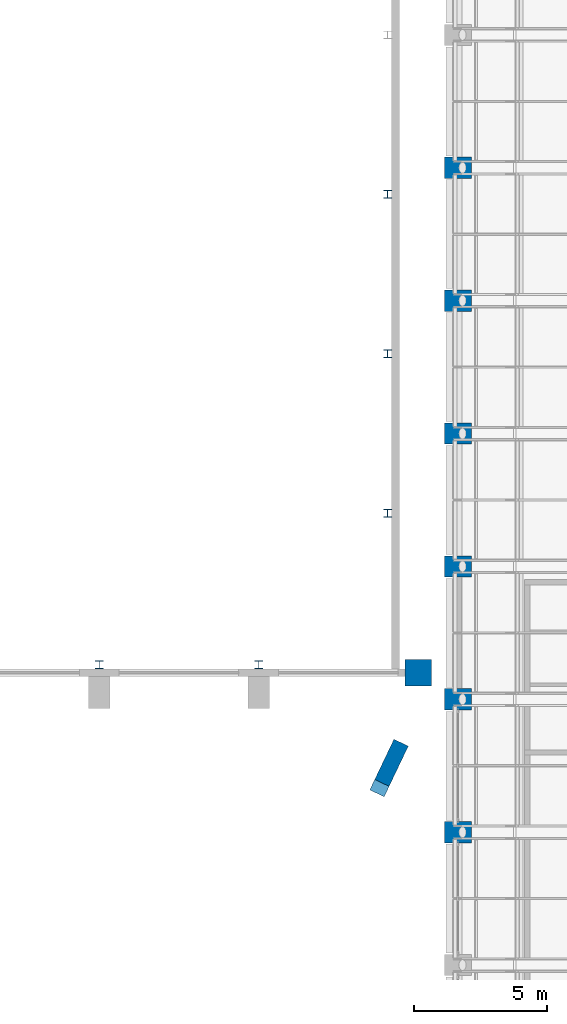
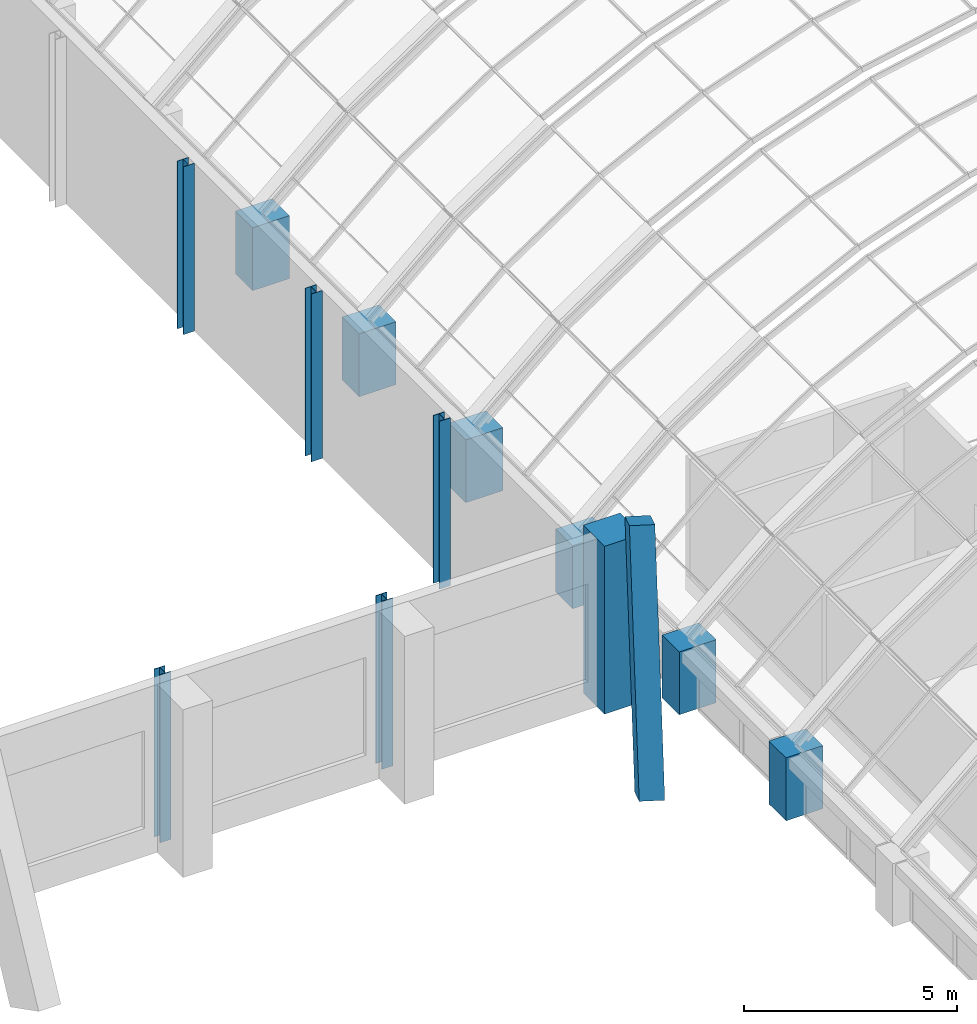
# One storey, part 17 of 182: 13 columns.
"""IFC4 building model written with IfcOpenShell, lengths in metres."""

from ifc_helpers import new_model, si_unit, direction, frame, origin, origin_2d, place, context, subcontext, project, spatial, rectangle, i_section, extrude, material, material_profile, profile_set, type_object, element, save


model = new_model("IFC4")

# Units and contexts
model_context = context("Model", 3, precision=1e-05, world=origin(), true_north=direction((0.0, 1.0)))
body_context = subcontext(model_context, "Body", "Model", "MODEL_VIEW")
ifc_project = project(units=[si_unit("LENGTHUNIT", "METRE"), si_unit("AREAUNIT", "SQUARE_METRE"), si_unit("VOLUMEUNIT", "CUBIC_METRE"), si_unit("PLANEANGLEUNIT", "RADIAN"), si_unit("MASSUNIT", "GRAM", prefix="KILO")], contexts=[model_context])

# Site, building, storey
site_placement = place(None, origin())
site = spatial("IfcSite", under=ifc_project, at=site_placement, CompositionType="ELEMENT")
building_placement = place(site_placement, origin())
building = spatial("IfcBuilding", under=site, at=building_placement, Name="Okhra Congress Centre", CompositionType="ELEMENT")
storey_placement = place(building_placement, frame((0.0, 0.0, 7.199951171875)))
storey = spatial("IfcBuildingStorey", under=building, at=storey_placement, Name="L01", CompositionType="ELEMENT", Elevation=7.199951171875)

# Columns
ifc_material_1 = material(Name="Steel S355J2", Category="steel")
ifc_material_profile_1 = material_profile(ifc_material_1, i_section(OverallWidth=0.300048828125, OverallDepth=0.2900390625, WebThickness=0.008544921875, FlangeThickness=0.013916015625, at=origin_2d()), Name="HE 300 A")
ifc_profile_set_1 = profile_set([ifc_material_profile_1], Name="Steel S355J2")
column_type_1 = type_object("IfcColumnType", Name="HE 300 A", PredefinedType="COLUMN", material=ifc_profile_set_1)
for number, where, z_axis, x_axis, name in (
    (1, (142.0, 132.300048828125, 0.0), (0.0, 0.0, 1.0), (1.0, 0.0, 0.0), "EH.COL.L01.WP13"),
    (2, (148.0, 132.300048828125, 0.0), (0.0, 0.0, 1.0), (1.0, 0.0, 0.0), "EH.COL.L01.WP14"),
    (3, (152.85009765625, 138.0, 0.0), (0.0, 0.0, 1.0), (1.0, 0.0, 0.0), "EH.COL.L01.WP16"),
    (4, (152.85009765625, 144.0, 0.0), (0.0, 0.0, 1.0), (1.0, 0.0, 0.0), "EH.COL.L01.WP18"),
    (5, (152.85009765625, 150.0, 0.0), (0.0, 0.0, 1.0), (1.0, 0.0, 0.0), "EH.COL.L01.WP20"),
):
    element("IfcColumn", number, at=place(storey_placement, frame(where, z_axis=z_axis, x_axis=x_axis)), inside=storey, type_object=column_type_1, Name=name, PredefinedType="COLUMN", context=body_context, shape_type="SweptSolid", body=[
        extrude(i_section(OverallWidth=0.300048828125, OverallDepth=0.2900390625, WebThickness=0.008544921875, FlangeThickness=0.013916015625, at=origin_2d()), origin(), (0.0, 0.0, 1.0), 4.800048828125),
    ])
ifc_material_2 = material(Name="Concrete C40/50", Category="concrete")
ifc_material_profile_2 = material_profile(ifc_material_2, rectangle(XDim=1.0, YDim=1.0, at=origin_2d()), Name="RC 1000x1000")
ifc_profile_set_2 = profile_set([ifc_material_profile_2], Name="Concrete C40/50")
column_type_2 = type_object("IfcColumnType", Name="RC column 1000x1000 C40/50", PredefinedType="COLUMN", material=ifc_profile_set_2)
column_1_placement = place(storey_placement, frame((154.0, 132.0, 0.0), z_axis=(0.0, 0.0, 1.0), x_axis=(1.0, 0.0, 0.0)))
element("IfcColumn", 6, at=column_1_placement, inside=storey, type_object=column_type_2, Name="EH.COL.L01.SC15", PredefinedType="COLUMN", context=body_context, shape_type="SweptSolid", body=[
    extrude(rectangle(XDim=1.0, YDim=1.0, at=origin_2d()), origin(), (0.0, 0.0, 1.0), 4.800048828125),
])
ifc_material_profile_3 = material_profile(ifc_material_2, rectangle(XDim=1.0, YDim=0.800048828125, at=origin_2d()), Name="RC 1000x800")
ifc_profile_set_3 = profile_set([ifc_material_profile_3], Name="Concrete C40/50")
column_type_3 = type_object("IfcColumnType", Name="RC pier 1000x800 C40/50", PredefinedType="COLUMN", material=ifc_profile_set_3)
for number, where, z_axis, x_axis, name in (
    (7, (155.5, 126.0, 0.0), (0.0, 0.0, 1.0), (1.0, 0.0, 0.0), "WG.COL.L01.pier-W10"),
    (8, (155.5, 131.0, 0.0), (0.0, 0.0, 1.0), (1.0, 0.0, 0.0), "WG.COL.L01.pier-W11"),
    (9, (155.5, 136.0, 0.0), (0.0, 0.0, 1.0), (1.0, 0.0, 0.0), "WG.COL.L01.pier-W12"),
    (10, (155.5, 141.0, 0.0), (0.0, 0.0, 1.0), (1.0, 0.0, 0.0), "WG.COL.L01.pier-W13"),
    (11, (155.5, 146.0, 0.0), (0.0, 0.0, 1.0), (1.0, 0.0, 0.0), "WG.COL.L01.pier-W14"),
    (12, (155.5, 151.0, 0.0), (0.0, 0.0, 1.0), (1.0, 0.0, 0.0), "WG.COL.L01.pier-W15"),
):
    element("IfcColumn", number, at=place(storey_placement, frame(where, z_axis=z_axis, x_axis=x_axis)), inside=storey, type_object=column_type_3, Name=name, PredefinedType="COLUMN", context=body_context, shape_type="SweptSolid", body=[
        extrude(rectangle(XDim=1.0, YDim=0.800048828125, at=origin_2d()), origin(), (0.0, 0.0, 1.0), 1.800048828125),
    ])
ifc_material_3 = material(Name="Concrete C35/45", Category="concrete")
ifc_material_profile_4 = material_profile(ifc_material_3, rectangle(XDim=0.60009765625, YDim=1.5, at=origin_2d()), Name="RC 600x1500")
ifc_profile_set_4 = profile_set([ifc_material_profile_4], Name="Concrete C35/45")
column_type_4 = type_object("IfcColumnType", Name="Raking buttress pier RC 600x1500 C35/45", PredefinedType="COLUMN", material=ifc_profile_set_4)
column_2_placement = place(storey_placement, frame((152.73974609375, 128.068115234375, 0.0), z_axis=(0.19288582333, 0.404604357811, 0.893918549309), x_axis=(-0.902672438289, 0.430328327156, 0.0)))
element("IfcColumn", 13, at=column_2_placement, inside=storey, type_object=column_type_4, Name="Buttress pier 8", PredefinedType="COLUMN", context=body_context, shape_type="SweptSolid", body=[
    extrude(rectangle(XDim=0.60009765625, YDim=1.5, at=origin_2d()), origin(), (0.0, 0.0, 1.0), 6.53369140625),
])

save(model, "model.ifc")
